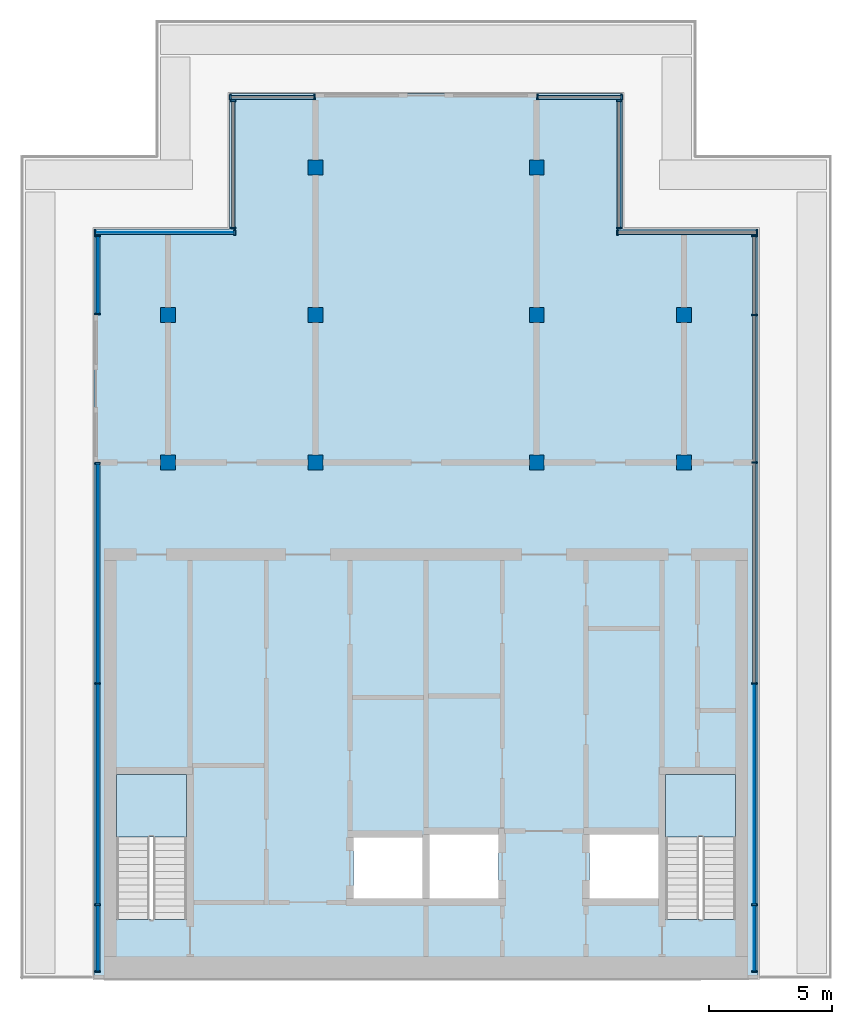
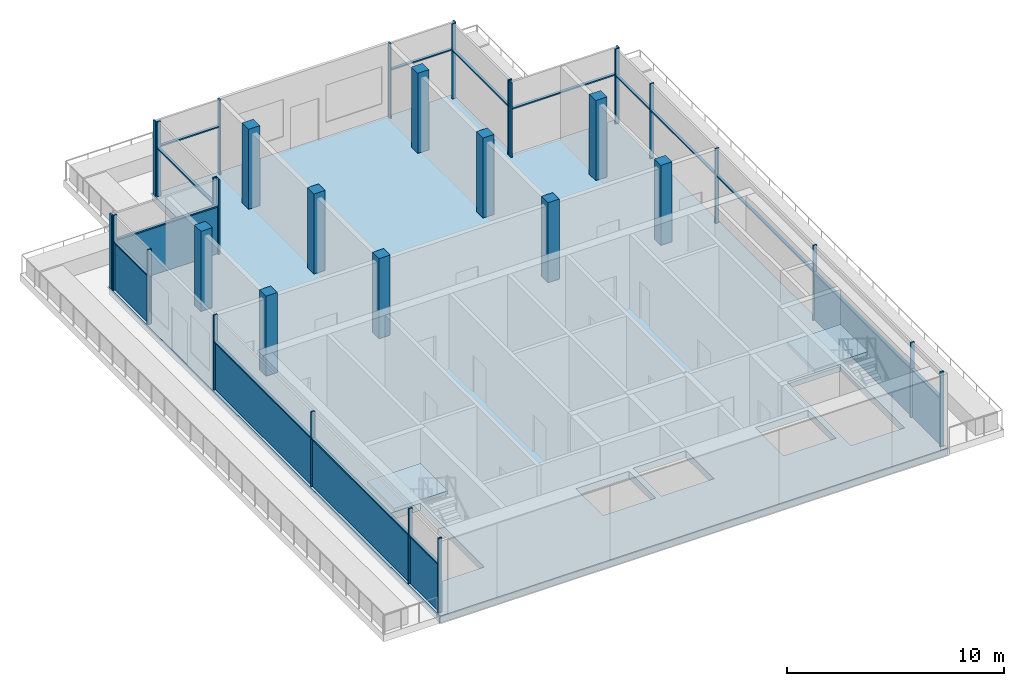
# One storey, part 1 of 6: 39 members, 10 columns, 7 plates, 3 slabs, 11 elements without a shape of their own.
"""IFC4 building model written with IfcOpenShell, lengths in metres."""

from ifc_helpers import new_model, si_unit, direction, frame, origin, origin_2d, place, context, subcontext, project, spatial, polyline, rectangle, outline, extrude, material, layer, layer_set, material_profile, profile_set, type_object, element, aggregate, save


model = new_model("IFC4")

# Units and contexts
model_context = context("Model", 3, precision=1e-05, world=origin(), true_north=direction((0.0, 1.0)))
body_context = subcontext(model_context, "Body", "Model", "MODEL_VIEW")
ifc_project = project(units=[si_unit("LENGTHUNIT", "METRE"), si_unit("AREAUNIT", "SQUARE_METRE"), si_unit("VOLUMEUNIT", "CUBIC_METRE"), si_unit("PLANEANGLEUNIT", "RADIAN"), si_unit("MASSUNIT", "GRAM", prefix="KILO")], contexts=[model_context])

# Site, building, storey
site_placement = place(None, origin())
site = spatial("IfcSite", under=ifc_project, at=site_placement, CompositionType="ELEMENT")
building_placement = place(site_placement, origin())
building = spatial("IfcBuilding", under=site, at=building_placement, Name="Finial Court Residences", CompositionType="ELEMENT")
storey_placement = place(building_placement, frame((0.0, 0.0, 312.199951171875)))
storey = spatial("IfcBuildingStorey", under=building, at=storey_placement, Name="L79", CompositionType="ELEMENT", Elevation=312.199951171875)

# Columns
ifc_material_1 = material(Name="Concrete C40/50", Category="concrete")
ifc_material_profile_1 = material_profile(ifc_material_1, rectangle(XDim=0.60009765625, YDim=0.60009765625, at=origin_2d()), Name="600x600")
ifc_profile_set_1 = profile_set([ifc_material_profile_1], Name="Concrete C40/50")
column_type_1 = type_object("IfcColumnType", Name="Interior column 600x600 Concrete C40/50", PredefinedType="COLUMN", material=ifc_profile_set_1)
for number, where, z_axis, x_axis, name in (
    (1, (-4.5, -4.5, 0.0), (0.0, 0.0, 1.0), (1.0, 0.0, 0.0), "S:COL:L79:E4"),
    (2, (-4.5, 1.5, 0.0), (0.0, 0.0, 1.0), (1.0, 0.0, 0.0), "S:COL:L79:E5"),
    (3, (4.5, -4.5, 0.0), (0.0, 0.0, 1.0), (1.0, 0.0, 0.0), "S:COL:L79:F4"),
    (4, (4.5, 1.5, 0.0), (0.0, 0.0, 1.0), (1.0, 0.0, 0.0), "S:COL:L79:F5"),
):
    element("IfcColumn", number, at=place(storey_placement, frame(where, z_axis=z_axis, x_axis=x_axis)), inside=storey, type_object=column_type_1, Name=name, PredefinedType="COLUMN", context=body_context, shape_type="SweptSolid", body=[
        extrude(rectangle(XDim=0.60009765625, YDim=0.60009765625, at=origin_2d()), origin(), (0.0, 0.0, 1.0), 4.5),
    ])
ifc_material_profile_2 = material_profile(ifc_material_1, rectangle(XDim=0.60009765625, YDim=0.60009765625, at=origin_2d()), Name="600x600")
ifc_profile_set_2 = profile_set([ifc_material_profile_2], Name="Concrete C40/50")
column_type_2 = type_object("IfcColumnType", Name="Perimeter column 600x600 Concrete C40/50", PredefinedType="COLUMN", material=ifc_profile_set_2)
for number, where, z_axis, x_axis, name in (
    (5, (-10.5, -4.5, 0.0), (0.0, 0.0, 1.0), (1.0, 0.0, 0.0), "S:COL:L79:D4"),
    (6, (-10.5, 1.5, 0.0), (0.0, 0.0, 1.0), (1.0, 0.0, 0.0), "S:COL:L79:D5"),
    (7, (-4.5, 7.5, 0.0), (0.0, 0.0, 1.0), (1.0, 0.0, 0.0), "S:COL:L79:E6"),
    (8, (4.5, 7.5, 0.0), (0.0, 0.0, 1.0), (1.0, 0.0, 0.0), "S:COL:L79:F6"),
    (9, (10.5, -4.5, 0.0), (0.0, 0.0, 1.0), (1.0, 0.0, 0.0), "S:COL:L79:G4"),
    (10, (10.5, 1.5, 0.0), (0.0, 0.0, 1.0), (1.0, 0.0, 0.0), "S:COL:L79:G5"),
):
    element("IfcColumn", number, at=place(storey_placement, frame(where, z_axis=z_axis, x_axis=x_axis)), inside=storey, type_object=column_type_2, Name=name, PredefinedType="COLUMN", context=body_context, shape_type="SweptSolid", body=[
        extrude(rectangle(XDim=0.60009765625, YDim=0.60009765625, at=origin_2d()), origin(), (0.0, 0.0, 1.0), 4.5),
    ])

# Curtain wall, members
ifc_material_2 = material(Name="Bronze anodised aluminium", Category="aluminium")
curtain_wall_type = type_object("IfcCurtainWallType", Name="Crown lantern glazing", PredefinedType="NOTDEFINED", material=ifc_material_2)
curtain_wall_1_placement = place(storey_placement, origin())
curtain_wall_1 = element("IfcCurtainWall", 11, at=curtain_wall_1_placement, inside=storey, type_object=curtain_wall_type, Name="E-L79-CW-N3", PredefinedType="NOTDEFINED")
ifc_material_profile_3 = material_profile(ifc_material_2, rectangle(XDim=0.199951171875, YDim=0.070068359375, at=origin_2d()), Name="CW6 mullion 70 x 200")
ifc_profile_set_3 = profile_set([ifc_material_profile_3], Name="Bronze anodised aluminium")
member_type_1 = type_object("IfcMemberType", Name="CW6 mullion 70 x 200", PredefinedType="MULLION", material=ifc_profile_set_3)
member_1_placement = place(storey_placement, frame((-7.965087890625, 10.35009765625, 0.0), z_axis=(0.0, 0.0, 1.0), x_axis=(0.0, 1.0, 0.0)))
member_1 = element("IfcMember", 12, at=member_1_placement, type_object=member_type_1, Name="CW6 mullion 1", PredefinedType="MULLION", context=body_context, shape_type="SweptSolid", body=[
    extrude(rectangle(XDim=0.199951171875, YDim=0.070068359375, at=origin_2d()), origin(), (0.0, 0.0, 1.0), 4.199951171875),
])
member_2_placement = place(storey_placement, frame((-4.534912109375, 10.35009765625, 0.0), z_axis=(0.0, 0.0, 1.0), x_axis=(0.0, 1.0, 0.0)))
member_2 = element("IfcMember", 13, at=member_2_placement, type_object=member_type_1, Name="CW6 mullion 2", PredefinedType="MULLION", context=body_context, shape_type="SweptSolid", body=[
    extrude(rectangle(XDim=0.199951171875, YDim=0.070068359375, at=origin_2d()), origin(), (0.0, 0.0, 1.0), 4.199951171875),
])

curtain_wall_2_placement = place(storey_placement, origin())
curtain_wall_2 = element("IfcCurtainWall", 14, at=curtain_wall_2_placement, inside=storey, type_object=curtain_wall_type, Name="E-L79-CW-N4", PredefinedType="NOTDEFINED")
member_3_placement = place(storey_placement, frame((4.534912109375, 10.35009765625, 0.0), z_axis=(0.0, 0.0, 1.0), x_axis=(0.0, 1.0, 0.0)))
member_3 = element("IfcMember", 15, at=member_3_placement, type_object=member_type_1, Name="CW6 mullion 1", PredefinedType="MULLION", context=body_context, shape_type="SweptSolid", body=[
    extrude(rectangle(XDim=0.199951171875, YDim=0.070068359375, at=origin_2d()), origin(), (0.0, 0.0, 1.0), 4.199951171875),
])
member_4_placement = place(storey_placement, frame((7.965087890625, 10.35009765625, 0.0), z_axis=(0.0, 0.0, 1.0), x_axis=(0.0, 1.0, 0.0)))
member_4 = element("IfcMember", 16, at=member_4_placement, type_object=member_type_1, Name="CW6 mullion 2", PredefinedType="MULLION", context=body_context, shape_type="SweptSolid", body=[
    extrude(rectangle(XDim=0.199951171875, YDim=0.070068359375, at=origin_2d()), origin(), (0.0, 0.0, 1.0), 4.199951171875),
])

curtain_wall_3_placement = place(storey_placement, origin())
curtain_wall_3 = element("IfcCurtainWall", 17, at=curtain_wall_3_placement, inside=storey, type_object=curtain_wall_type, Name="E-L79-CW-E5", PredefinedType="NOTDEFINED")
member_5_placement = place(storey_placement, frame((13.35009765625, -25.215087890625, 0.0), z_axis=(0.0, 0.0, 1.0), x_axis=(-1.0, 0.0, 0.0)))
member_5 = element("IfcMember", 18, at=member_5_placement, type_object=member_type_1, Name="CW6 mullion 1", PredefinedType="MULLION", context=body_context, shape_type="SweptSolid", body=[
    extrude(rectangle(XDim=0.199951171875, YDim=0.070068359375, at=origin_2d()), origin(), (0.0, 0.0, 1.0), 4.199951171875),
])
member_6_placement = place(storey_placement, frame((13.35009765625, -22.5, 0.0), z_axis=(0.0, 0.0, 1.0), x_axis=(-1.0, 0.0, 0.0)))
member_6 = element("IfcMember", 19, at=member_6_placement, type_object=member_type_1, Name="CW6 mullion 2", PredefinedType="MULLION", context=body_context, shape_type="SweptSolid", body=[
    extrude(rectangle(XDim=0.199951171875, YDim=0.070068359375, at=origin_2d()), origin(), (0.0, 0.0, 1.0), 4.199951171875),
])
member_7_placement = place(storey_placement, frame((13.35009765625, -13.5, 0.0), z_axis=(0.0, 0.0, 1.0), x_axis=(-1.0, 0.0, 0.0)))
member_7 = element("IfcMember", 20, at=member_7_placement, type_object=member_type_1, Name="CW6 mullion 3", PredefinedType="MULLION", context=body_context, shape_type="SweptSolid", body=[
    extrude(rectangle(XDim=0.199951171875, YDim=0.070068359375, at=origin_2d()), origin(), (0.0, 0.0, 1.0), 4.199951171875),
])
member_8_placement = place(storey_placement, frame((13.35009765625, -4.5, 0.0), z_axis=(0.0, 0.0, 1.0), x_axis=(-1.0, 0.0, 0.0)))
member_8 = element("IfcMember", 21, at=member_8_placement, type_object=member_type_1, Name="CW6 mullion 4", PredefinedType="MULLION", context=body_context, shape_type="SweptSolid", body=[
    extrude(rectangle(XDim=0.199951171875, YDim=0.070068359375, at=origin_2d()), origin(), (0.0, 0.0, 1.0), 4.199951171875),
])
member_9_placement = place(storey_placement, frame((13.35009765625, 1.5, 0.0), z_axis=(0.0, 0.0, 1.0), x_axis=(-1.0, 0.0, 0.0)))
member_9 = element("IfcMember", 22, at=member_9_placement, type_object=member_type_1, Name="CW6 mullion 5", PredefinedType="MULLION", context=body_context, shape_type="SweptSolid", body=[
    extrude(rectangle(XDim=0.199951171875, YDim=0.070068359375, at=origin_2d()), origin(), (0.0, 0.0, 1.0), 4.199951171875),
])
member_10_placement = place(storey_placement, frame((13.35009765625, 4.715087890625, 0.0), z_axis=(0.0, 0.0, 1.0), x_axis=(-1.0, 0.0, 0.0)))
member_10 = element("IfcMember", 23, at=member_10_placement, type_object=member_type_1, Name="CW6 mullion 6", PredefinedType="MULLION", context=body_context, shape_type="SweptSolid", body=[
    extrude(rectangle(XDim=0.199951171875, YDim=0.070068359375, at=origin_2d()), origin(), (0.0, 0.0, 1.0), 4.199951171875),
])

curtain_wall_4_placement = place(storey_placement, origin())
curtain_wall_4 = element("IfcCurtainWall", 24, at=curtain_wall_4_placement, inside=storey, type_object=curtain_wall_type, Name="E-L79-CW-W6", PredefinedType="NOTDEFINED")
member_11_placement = place(storey_placement, frame((-13.35009765625, -25.215087890625, 0.0), z_axis=(0.0, 0.0, 1.0), x_axis=(-1.0, 0.0, 0.0)))
member_11 = element("IfcMember", 25, at=member_11_placement, type_object=member_type_1, Name="CW6 mullion 1", PredefinedType="MULLION", context=body_context, shape_type="SweptSolid", body=[
    extrude(rectangle(XDim=0.199951171875, YDim=0.070068359375, at=origin_2d()), origin(), (0.0, 0.0, 1.0), 4.199951171875),
])
member_12_placement = place(storey_placement, frame((-13.35009765625, -22.5, 0.0), z_axis=(0.0, 0.0, 1.0), x_axis=(-1.0, 0.0, 0.0)))
member_12 = element("IfcMember", 26, at=member_12_placement, type_object=member_type_1, Name="CW6 mullion 2", PredefinedType="MULLION", context=body_context, shape_type="SweptSolid", body=[
    extrude(rectangle(XDim=0.199951171875, YDim=0.070068359375, at=origin_2d()), origin(), (0.0, 0.0, 1.0), 4.199951171875),
])
member_13_placement = place(storey_placement, frame((-13.35009765625, -13.5, 0.0), z_axis=(0.0, 0.0, 1.0), x_axis=(-1.0, 0.0, 0.0)))
member_13 = element("IfcMember", 27, at=member_13_placement, type_object=member_type_1, Name="CW6 mullion 3", PredefinedType="MULLION", context=body_context, shape_type="SweptSolid", body=[
    extrude(rectangle(XDim=0.199951171875, YDim=0.070068359375, at=origin_2d()), origin(), (0.0, 0.0, 1.0), 4.199951171875),
])
member_14_placement = place(storey_placement, frame((-13.35009765625, -4.534912109375, 0.0), z_axis=(0.0, 0.0, 1.0), x_axis=(-1.0, 0.0, 0.0)))
member_14 = element("IfcMember", 28, at=member_14_placement, type_object=member_type_1, Name="CW6 mullion 4", PredefinedType="MULLION", context=body_context, shape_type="SweptSolid", body=[
    extrude(rectangle(XDim=0.199951171875, YDim=0.070068359375, at=origin_2d()), origin(), (0.0, 0.0, 1.0), 4.199951171875),
])

curtain_wall_5_placement = place(storey_placement, origin())
curtain_wall_5 = element("IfcCurtainWall", 29, at=curtain_wall_5_placement, inside=storey, type_object=curtain_wall_type, Name="E-L79-CW-W7", PredefinedType="NOTDEFINED")
member_15_placement = place(storey_placement, frame((-13.35009765625, 1.534912109375, 0.0), z_axis=(0.0, 0.0, 1.0), x_axis=(-1.0, 0.0, 0.0)))
member_15 = element("IfcMember", 30, at=member_15_placement, type_object=member_type_1, Name="CW6 mullion 1", PredefinedType="MULLION", context=body_context, shape_type="SweptSolid", body=[
    extrude(rectangle(XDim=0.199951171875, YDim=0.070068359375, at=origin_2d()), origin(), (0.0, 0.0, 1.0), 4.199951171875),
])
member_16_placement = place(storey_placement, frame((-13.35009765625, 4.715087890625, 0.0), z_axis=(0.0, 0.0, 1.0), x_axis=(-1.0, 0.0, 0.0)))
member_16 = element("IfcMember", 31, at=member_16_placement, type_object=member_type_1, Name="CW6 mullion 2", PredefinedType="MULLION", context=body_context, shape_type="SweptSolid", body=[
    extrude(rectangle(XDim=0.199951171875, YDim=0.070068359375, at=origin_2d()), origin(), (0.0, 0.0, 1.0), 4.199951171875),
])

curtain_wall_6_placement = place(storey_placement, origin())
curtain_wall_6 = element("IfcCurtainWall", 32, at=curtain_wall_6_placement, inside=storey, type_object=curtain_wall_type, Name="E-L79-CW-W8n", PredefinedType="NOTDEFINED")
member_17_placement = place(storey_placement, frame((-7.85009765625, 5.034912109375, 0.0), z_axis=(0.0, 0.0, 1.0), x_axis=(-1.0, 0.0, 0.0)))
member_17 = element("IfcMember", 33, at=member_17_placement, type_object=member_type_1, Name="CW6 mullion 1", PredefinedType="MULLION", context=body_context, shape_type="SweptSolid", body=[
    extrude(rectangle(XDim=0.199951171875, YDim=0.070068359375, at=origin_2d()), origin(), (0.0, 0.0, 1.0), 4.199951171875),
])
member_18_placement = place(storey_placement, frame((-7.85009765625, 10.215087890625, 0.0), z_axis=(0.0, 0.0, 1.0), x_axis=(-1.0, 0.0, 0.0)))
member_18 = element("IfcMember", 34, at=member_18_placement, type_object=member_type_1, Name="CW6 mullion 2", PredefinedType="MULLION", context=body_context, shape_type="SweptSolid", body=[
    extrude(rectangle(XDim=0.199951171875, YDim=0.070068359375, at=origin_2d()), origin(), (0.0, 0.0, 1.0), 4.199951171875),
])

curtain_wall_7_placement = place(storey_placement, origin())
curtain_wall_7 = element("IfcCurtainWall", 35, at=curtain_wall_7_placement, inside=storey, type_object=curtain_wall_type, Name="E-L79-CW-N9n", PredefinedType="NOTDEFINED")
member_19_placement = place(storey_placement, frame((-13.465087890625, 4.85009765625, 0.0), z_axis=(0.0, 0.0, 1.0), x_axis=(0.0, 1.0, 0.0)))
member_19 = element("IfcMember", 36, at=member_19_placement, type_object=member_type_1, Name="CW6 mullion 1", PredefinedType="MULLION", context=body_context, shape_type="SweptSolid", body=[
    extrude(rectangle(XDim=0.199951171875, YDim=0.070068359375, at=origin_2d()), origin(), (0.0, 0.0, 1.0), 4.199951171875),
])
member_20_placement = place(storey_placement, frame((-7.784912109375, 4.85009765625, 0.0), z_axis=(0.0, 0.0, 1.0), x_axis=(0.0, 1.0, 0.0)))
member_20 = element("IfcMember", 37, at=member_20_placement, type_object=member_type_1, Name="CW6 mullion 2", PredefinedType="MULLION", context=body_context, shape_type="SweptSolid", body=[
    extrude(rectangle(XDim=0.199951171875, YDim=0.070068359375, at=origin_2d()), origin(), (0.0, 0.0, 1.0), 4.199951171875),
])

curtain_wall_8_placement = place(storey_placement, origin())
curtain_wall_8 = element("IfcCurtainWall", 38, at=curtain_wall_8_placement, inside=storey, type_object=curtain_wall_type, Name="E-L79-CW-E10n", PredefinedType="NOTDEFINED")
member_21_placement = place(storey_placement, frame((7.85009765625, 5.034912109375, 0.0), z_axis=(0.0, 0.0, 1.0), x_axis=(-1.0, 0.0, 0.0)))
member_21 = element("IfcMember", 39, at=member_21_placement, type_object=member_type_1, Name="CW6 mullion 1", PredefinedType="MULLION", context=body_context, shape_type="SweptSolid", body=[
    extrude(rectangle(XDim=0.199951171875, YDim=0.070068359375, at=origin_2d()), origin(), (0.0, 0.0, 1.0), 4.199951171875),
])
member_22_placement = place(storey_placement, frame((7.85009765625, 10.215087890625, 0.0), z_axis=(0.0, 0.0, 1.0), x_axis=(-1.0, 0.0, 0.0)))
member_22 = element("IfcMember", 40, at=member_22_placement, type_object=member_type_1, Name="CW6 mullion 2", PredefinedType="MULLION", context=body_context, shape_type="SweptSolid", body=[
    extrude(rectangle(XDim=0.199951171875, YDim=0.070068359375, at=origin_2d()), origin(), (0.0, 0.0, 1.0), 4.199951171875),
])

curtain_wall_9_placement = place(storey_placement, origin())
curtain_wall_9 = element("IfcCurtainWall", 41, at=curtain_wall_9_placement, inside=storey, type_object=curtain_wall_type, Name="E-L79-CW-N11n", PredefinedType="NOTDEFINED")
member_23_placement = place(storey_placement, frame((7.784912109375, 4.85009765625, 0.0), z_axis=(0.0, 0.0, 1.0), x_axis=(0.0, 1.0, 0.0)))
member_23 = element("IfcMember", 42, at=member_23_placement, type_object=member_type_1, Name="CW6 mullion 1", PredefinedType="MULLION", context=body_context, shape_type="SweptSolid", body=[
    extrude(rectangle(XDim=0.199951171875, YDim=0.070068359375, at=origin_2d()), origin(), (0.0, 0.0, 1.0), 4.199951171875),
])
member_24_placement = place(storey_placement, frame((13.465087890625, 4.85009765625, 0.0), z_axis=(0.0, 0.0, 1.0), x_axis=(0.0, 1.0, 0.0)))
member_24 = element("IfcMember", 43, at=member_24_placement, type_object=member_type_1, Name="CW6 mullion 2", PredefinedType="MULLION", context=body_context, shape_type="SweptSolid", body=[
    extrude(rectangle(XDim=0.199951171875, YDim=0.070068359375, at=origin_2d()), origin(), (0.0, 0.0, 1.0), 4.199951171875),
])

# Member
ifc_material_profile_4 = material_profile(ifc_material_2, rectangle(XDim=0.14990234375, YDim=0.070068359375, at=origin_2d()), Name="CW6 transom 70 x 150")
ifc_profile_set_4 = profile_set([ifc_material_profile_4], Name="Bronze anodised aluminium")
member_type_2 = type_object("IfcMemberType", Name="CW6 transom 70 x 150", PredefinedType="USERDEFINED", material=ifc_profile_set_4)
member_25_placement = place(storey_placement, frame((-7.929931640625, 10.35009765625, 2.699951171875), z_axis=(1.0, 0.0, 0.0), x_axis=(0.0, 1.0, 0.0)))
member_25 = element("IfcMember", 44, at=member_25_placement, type_object=member_type_2, Name="CW6 transom 1.1", ObjectType="TRANSOM", PredefinedType="USERDEFINED", context=body_context, shape_type="SweptSolid", body=[
    extrude(rectangle(XDim=0.14990234375, YDim=0.070068359375, at=origin_2d()), origin(), (0.0, 0.0, 1.0), 3.35986328125),
])

aggregate(curtain_wall_1, [member_1, member_2, member_25])

member_26_placement = place(storey_placement, frame((4.570068359375, 10.35009765625, 2.699951171875), z_axis=(1.0, 0.0, 0.0), x_axis=(0.0, 1.0, 0.0)))
member_26 = element("IfcMember", 45, at=member_26_placement, type_object=member_type_2, Name="CW6 transom 1.1", ObjectType="TRANSOM", PredefinedType="USERDEFINED", context=body_context, shape_type="SweptSolid", body=[
    extrude(rectangle(XDim=0.14990234375, YDim=0.070068359375, at=origin_2d()), origin(), (0.0, 0.0, 1.0), 3.35986328125),
])

aggregate(curtain_wall_2, [member_3, member_4, member_26])

member_27_placement = place(storey_placement, frame((13.35009765625, -25.179931640625, 2.699951171875), z_axis=(0.0, 1.0, 0.0), x_axis=(-1.0, 0.0, 0.0)))
member_27 = element("IfcMember", 46, at=member_27_placement, type_object=member_type_2, Name="CW6 transom 1.1", ObjectType="TRANSOM", PredefinedType="USERDEFINED", context=body_context, shape_type="SweptSolid", body=[
    extrude(rectangle(XDim=0.14990234375, YDim=0.070068359375, at=origin_2d()), origin(), (0.0, 0.0, 1.0), 2.64501953125),
])

member_28_placement = place(storey_placement, frame((13.35009765625, -22.465087890625, 2.699951171875), z_axis=(0.0, 1.0, 0.0), x_axis=(-1.0, 0.0, 0.0)))
member_28 = element("IfcMember", 47, at=member_28_placement, type_object=member_type_2, Name="CW6 transom 2.1", ObjectType="TRANSOM", PredefinedType="USERDEFINED", context=body_context, shape_type="SweptSolid", body=[
    extrude(rectangle(XDim=0.14990234375, YDim=0.070068359375, at=origin_2d()), origin(), (0.0, 0.0, 1.0), 8.93017578125),
])

member_29_placement = place(storey_placement, frame((13.35009765625, -13.465087890625, 2.699951171875), z_axis=(0.0, 1.0, 0.0), x_axis=(-1.0, 0.0, 0.0)))
member_29 = element("IfcMember", 48, at=member_29_placement, type_object=member_type_2, Name="CW6 transom 3.1", ObjectType="TRANSOM", PredefinedType="USERDEFINED", context=body_context, shape_type="SweptSolid", body=[
    extrude(rectangle(XDim=0.14990234375, YDim=0.070068359375, at=origin_2d()), origin(), (0.0, 0.0, 1.0), 8.93017578125),
])

member_30_placement = place(storey_placement, frame((13.35009765625, -4.465087890625, 2.699951171875), z_axis=(0.0, 1.0, 0.0), x_axis=(-1.0, 0.0, 0.0)))
member_30 = element("IfcMember", 49, at=member_30_placement, type_object=member_type_2, Name="CW6 transom 4.1", ObjectType="TRANSOM", PredefinedType="USERDEFINED", context=body_context, shape_type="SweptSolid", body=[
    extrude(rectangle(XDim=0.14990234375, YDim=0.070068359375, at=origin_2d()), origin(), (0.0, 0.0, 1.0), 5.93017578125),
])

member_31_placement = place(storey_placement, frame((13.35009765625, 1.534912109375, 2.699951171875), z_axis=(0.0, 1.0, 0.0), x_axis=(-1.0, 0.0, 0.0)))
member_31 = element("IfcMember", 50, at=member_31_placement, type_object=member_type_2, Name="CW6 transom 5.1", ObjectType="TRANSOM", PredefinedType="USERDEFINED", context=body_context, shape_type="SweptSolid", body=[
    extrude(rectangle(XDim=0.14990234375, YDim=0.070068359375, at=origin_2d()), origin(), (0.0, 0.0, 1.0), 3.14501953125),
])

member_32_placement = place(storey_placement, frame((-13.35009765625, -25.179931640625, 2.699951171875), z_axis=(0.0, 1.0, 0.0), x_axis=(-1.0, 0.0, 0.0)))
member_32 = element("IfcMember", 51, at=member_32_placement, type_object=member_type_2, Name="CW6 transom 1.1", ObjectType="TRANSOM", PredefinedType="USERDEFINED", context=body_context, shape_type="SweptSolid", body=[
    extrude(rectangle(XDim=0.14990234375, YDim=0.070068359375, at=origin_2d()), origin(), (0.0, 0.0, 1.0), 2.64501953125),
])

member_33_placement = place(storey_placement, frame((-13.35009765625, -22.465087890625, 2.699951171875), z_axis=(0.0, 1.0, 0.0), x_axis=(-1.0, 0.0, 0.0)))
member_33 = element("IfcMember", 52, at=member_33_placement, type_object=member_type_2, Name="CW6 transom 2.1", ObjectType="TRANSOM", PredefinedType="USERDEFINED", context=body_context, shape_type="SweptSolid", body=[
    extrude(rectangle(XDim=0.14990234375, YDim=0.070068359375, at=origin_2d()), origin(), (0.0, 0.0, 1.0), 8.93017578125),
])

member_34_placement = place(storey_placement, frame((-13.35009765625, -13.465087890625, 2.699951171875), z_axis=(0.0, 1.0, 0.0), x_axis=(-1.0, 0.0, 0.0)))
member_34 = element("IfcMember", 53, at=member_34_placement, type_object=member_type_2, Name="CW6 transom 3.1", ObjectType="TRANSOM", PredefinedType="USERDEFINED", context=body_context, shape_type="SweptSolid", body=[
    extrude(rectangle(XDim=0.14990234375, YDim=0.070068359375, at=origin_2d()), origin(), (0.0, 0.0, 1.0), 8.89501953125),
])

member_35_placement = place(storey_placement, frame((-13.35009765625, 1.570068359375, 2.699951171875), z_axis=(0.0, 1.0, 0.0), x_axis=(-1.0, 0.0, 0.0)))
member_35 = element("IfcMember", 54, at=member_35_placement, type_object=member_type_2, Name="CW6 transom 1.1", ObjectType="TRANSOM", PredefinedType="USERDEFINED", context=body_context, shape_type="SweptSolid", body=[
    extrude(rectangle(XDim=0.14990234375, YDim=0.070068359375, at=origin_2d()), origin(), (0.0, 0.0, 1.0), 3.10986328125),
])

member_36_placement = place(storey_placement, frame((-7.85009765625, 5.070068359375, 2.699951171875), z_axis=(0.0, 1.0, 0.0), x_axis=(-1.0, 0.0, 0.0)))
member_36 = element("IfcMember", 55, at=member_36_placement, type_object=member_type_2, Name="CW6 transom 1.1", ObjectType="TRANSOM", PredefinedType="USERDEFINED", context=body_context, shape_type="SweptSolid", body=[
    extrude(rectangle(XDim=0.14990234375, YDim=0.070068359375, at=origin_2d()), origin(), (0.0, 0.0, 1.0), 5.10986328125),
])

aggregate(curtain_wall_6, [member_17, member_18, member_36])

member_37_placement = place(storey_placement, frame((-13.429931640625, 4.85009765625, 2.699951171875), z_axis=(1.0, 0.0, 0.0), x_axis=(0.0, 1.0, 0.0)))
member_37 = element("IfcMember", 56, at=member_37_placement, type_object=member_type_2, Name="CW6 transom 1.1", ObjectType="TRANSOM", PredefinedType="USERDEFINED", context=body_context, shape_type="SweptSolid", body=[
    extrude(rectangle(XDim=0.14990234375, YDim=0.070068359375, at=origin_2d()), origin(), (0.0, 0.0, 1.0), 5.60986328125),
])

member_38_placement = place(storey_placement, frame((7.85009765625, 5.070068359375, 2.699951171875), z_axis=(0.0, 1.0, 0.0), x_axis=(-1.0, 0.0, 0.0)))
member_38 = element("IfcMember", 57, at=member_38_placement, type_object=member_type_2, Name="CW6 transom 1.1", ObjectType="TRANSOM", PredefinedType="USERDEFINED", context=body_context, shape_type="SweptSolid", body=[
    extrude(rectangle(XDim=0.14990234375, YDim=0.070068359375, at=origin_2d()), origin(), (0.0, 0.0, 1.0), 5.10986328125),
])

aggregate(curtain_wall_8, [member_21, member_22, member_38])

member_39_placement = place(storey_placement, frame((7.820068359375, 4.85009765625, 2.699951171875), z_axis=(1.0, 0.0, 0.0), x_axis=(0.0, 1.0, 0.0)))
member_39 = element("IfcMember", 58, at=member_39_placement, type_object=member_type_2, Name="CW6 transom 1.1", ObjectType="TRANSOM", PredefinedType="USERDEFINED", context=body_context, shape_type="SweptSolid", body=[
    extrude(rectangle(XDim=0.14990234375, YDim=0.070068359375, at=origin_2d()), origin(), (0.0, 0.0, 1.0), 5.60986328125),
])

aggregate(curtain_wall_9, [member_23, member_24, member_39])

# Plate
ifc_material_3 = material(Name="Clear low-e glass", Category="glass")
ifc_layer_1 = layer(ifc_material_3, 0.031982421875)
ifc_layer_set_1 = layer_set([ifc_layer_1], Name="CW6 vision glass 32")
plate_type = type_object("IfcPlateType", Name="CW6 vision glass 32", PredefinedType="CURTAIN_PANEL", material=ifc_layer_set_1)
plate_1_placement = place(storey_placement, frame((13.35009765625, -23.857421875, 0.0), z_axis=(0.0, 0.0, 1.0), x_axis=(0.0, 1.0, 0.0)))
plate_1 = element("IfcPlate", 59, at=plate_1_placement, type_object=plate_type, Name="CW6 glass 1.1", PredefinedType="CURTAIN_PANEL", context=body_context, shape_type="SweptSolid", body=[
    extrude(rectangle(XDim=2.64501953125, YDim=0.031982421875, at=origin_2d()), origin(), (0.0, 0.0, 1.0), 2.6650390625),
])

plate_2_placement = place(storey_placement, frame((13.35009765625, -18.0, 0.0), z_axis=(0.0, 0.0, 1.0), x_axis=(0.0, 1.0, 0.0)))
plate_2 = element("IfcPlate", 60, at=plate_2_placement, type_object=plate_type, Name="CW6 glass 2.1", PredefinedType="CURTAIN_PANEL", context=body_context, shape_type="SweptSolid", body=[
    extrude(rectangle(XDim=8.929931640625, YDim=0.031982421875, at=origin_2d()), origin(), (0.0, 0.0, 1.0), 2.6650390625),
])

aggregate(curtain_wall_3, [member_5, member_6, member_7, member_8, member_9, member_10, member_27, plate_1, member_28, plate_2, member_29, member_30, member_31])

plate_3_placement = place(storey_placement, frame((-13.35009765625, -23.857421875, 0.0), z_axis=(0.0, 0.0, 1.0), x_axis=(0.0, 1.0, 0.0)))
plate_3 = element("IfcPlate", 61, at=plate_3_placement, type_object=plate_type, Name="CW6 glass 1.1", PredefinedType="CURTAIN_PANEL", context=body_context, shape_type="SweptSolid", body=[
    extrude(rectangle(XDim=2.64501953125, YDim=0.031982421875, at=origin_2d()), origin(), (0.0, 0.0, 1.0), 2.6650390625),
])

plate_4_placement = place(storey_placement, frame((-13.35009765625, -18.0, 0.0), z_axis=(0.0, 0.0, 1.0), x_axis=(0.0, 1.0, 0.0)))
plate_4 = element("IfcPlate", 62, at=plate_4_placement, type_object=plate_type, Name="CW6 glass 2.1", PredefinedType="CURTAIN_PANEL", context=body_context, shape_type="SweptSolid", body=[
    extrude(rectangle(XDim=8.929931640625, YDim=0.031982421875, at=origin_2d()), origin(), (0.0, 0.0, 1.0), 2.6650390625),
])

plate_5_placement = place(storey_placement, frame((-13.35009765625, -9.017578125, 0.0), z_axis=(0.0, 0.0, 1.0), x_axis=(0.0, 1.0, 0.0)))
plate_5 = element("IfcPlate", 63, at=plate_5_placement, type_object=plate_type, Name="CW6 glass 3.1", PredefinedType="CURTAIN_PANEL", context=body_context, shape_type="SweptSolid", body=[
    extrude(rectangle(XDim=8.89501953125, YDim=0.031982421875, at=origin_2d()), origin(), (0.0, 0.0, 1.0), 2.6650390625),
])

aggregate(curtain_wall_4, [member_11, member_12, member_13, member_14, member_32, plate_3, member_33, plate_4, member_34, plate_5])

plate_6_placement = place(storey_placement, frame((-13.35009765625, 3.125, 0.0), z_axis=(0.0, 0.0, 1.0), x_axis=(0.0, 1.0, 0.0)))
plate_6 = element("IfcPlate", 64, at=plate_6_placement, type_object=plate_type, Name="CW6 glass 1.1", PredefinedType="CURTAIN_PANEL", context=body_context, shape_type="SweptSolid", body=[
    extrude(rectangle(XDim=3.110107421875, YDim=0.031982421875, at=origin_2d()), origin(), (0.0, 0.0, 1.0), 2.6650390625),
])

aggregate(curtain_wall_5, [member_15, member_16, member_35, plate_6])

plate_7_placement = place(storey_placement, frame((-10.625, 4.85009765625, 0.0), z_axis=(0.0, 0.0, 1.0), x_axis=(1.0, 0.0, 0.0)))
plate_7 = element("IfcPlate", 65, at=plate_7_placement, type_object=plate_type, Name="CW6 glass 1.1", PredefinedType="CURTAIN_PANEL", context=body_context, shape_type="SweptSolid", body=[
    extrude(rectangle(XDim=5.610107421875, YDim=0.031982421875, at=origin_2d()), origin(), (0.0, 0.0, 1.0), 2.6650390625),
])

aggregate(curtain_wall_7, [member_19, member_20, member_37, plate_7])

# Stair, slab
ifc_material_4 = material(Name="Concrete C50/60", Category="concrete")
stair_type = type_object("IfcStairType", Name="Exit stair 26 risers of 173.1 mm", PredefinedType="HALF_TURN_STAIR", material=ifc_material_4)
stair_1_placement = place(storey_placement, origin())
stair_1 = element("IfcStair", 66, at=stair_1_placement, inside=storey, type_object=stair_type, Name="L79 Exit stair ST-1", PredefinedType="HALF_TURN_STAIR")
ifc_layer_2 = layer(ifc_material_4, 0.199951171875)
ifc_layer_set_2 = layer_set([ifc_layer_2], Name="Exit stair landing")
slab_type_1 = type_object("IfcSlabType", Name="Exit stair landing", PredefinedType="LANDING", material=ifc_layer_set_2)
slab_1_placement = place(storey_placement, frame((0.0, 0.0, 2.050048828125)))
slab_1 = element("IfcSlab", 67, at=slab_1_placement, type_object=slab_type_1, Name="ST-1 landing 1", PredefinedType="LANDING", context=body_context, shape_type="SweptSolid", body=[
    extrude(outline(polyline([(-9.75, -19.739990234375), (-9.75, -17.199951171875), (-12.60009765625, -17.199951171875), (-12.60009765625, -19.739990234375), (-9.75, -19.739990234375)])), origin(), (0.0, 0.0, 1.0), 0.199951171875),
])
aggregate(stair_1, [slab_1])

stair_2_placement = place(storey_placement, origin())
stair_2 = element("IfcStair", 68, at=stair_2_placement, inside=storey, type_object=stair_type, Name="L79 Exit stair ST-2", PredefinedType="HALF_TURN_STAIR")
slab_2_placement = place(storey_placement, frame((0.0, 0.0, 2.050048828125)))
slab_2 = element("IfcSlab", 69, at=slab_2_placement, type_object=slab_type_1, Name="ST-2 landing 1", PredefinedType="LANDING", context=body_context, shape_type="SweptSolid", body=[
    extrude(outline(polyline([(12.60009765625, -19.739990234375), (12.60009765625, -17.199951171875), (9.75, -17.199951171875), (9.75, -19.739990234375), (12.60009765625, -19.739990234375)])), origin(), (0.0, 0.0, 1.0), 0.199951171875),
])
aggregate(stair_2, [slab_2])

# Slab
ifc_layer_3 = layer(ifc_material_1, 0.39990234375)
ifc_layer_set_3 = layer_set([ifc_layer_3], Name="Flat plate slab 400 Concrete C40/50")
slab_type_2 = type_object("IfcSlabType", Name="Flat plate slab 400 Concrete C40/50", PredefinedType="FLOOR", material=ifc_layer_set_3)
slab_3_placement = place(storey_placement, frame((0.0, 0.0, -0.39990234375)))
element("IfcSlab", 70, at=slab_3_placement, inside=storey, type_object=slab_type_2, Name="S:SLAB:L79", PredefinedType="FLOOR", context=body_context, shape_type="SweptSolid", body=[
    extrude(outline(polyline([(-13.5, -25.5), (-13.5, 5.0), (-8.0, 5.0), (-8.0, 10.5), (8.0, 10.5), (8.0, 5.0), (13.5, 5.0), (13.5, -25.5), (-13.5, -25.5)]), holes=[polyline([(-2.949951171875, -19.77001953125), (-2.949951171875, -22.25), (-0.14990234375, -22.25), (-0.14990234375, -19.77001953125), (-2.949951171875, -19.77001953125)]), polyline([(0.14990234375, -19.64990234375), (0.14990234375, -22.25), (2.949951171875, -22.25), (2.949951171875, -19.64990234375), (0.14990234375, -19.64990234375)]), polyline([(6.64990234375, -19.64990234375), (6.64990234375, -22.25), (9.449951171875, -22.25), (9.449951171875, -19.64990234375), (6.64990234375, -19.64990234375)]), polyline([(-12.60009765625, -17.199951171875), (-12.60009765625, -23.09912109375), (-9.75, -23.09912109375), (-9.75, -17.199951171875), (-12.60009765625, -17.199951171875)]), polyline([(9.75, -17.199951171875), (9.75, -23.09912109375), (12.60009765625, -23.09912109375), (12.60009765625, -17.199951171875), (9.75, -17.199951171875)])]), origin(), (0.0, 0.0, 1.0), 0.39990234375),
])

save(model, "model.ifc")
